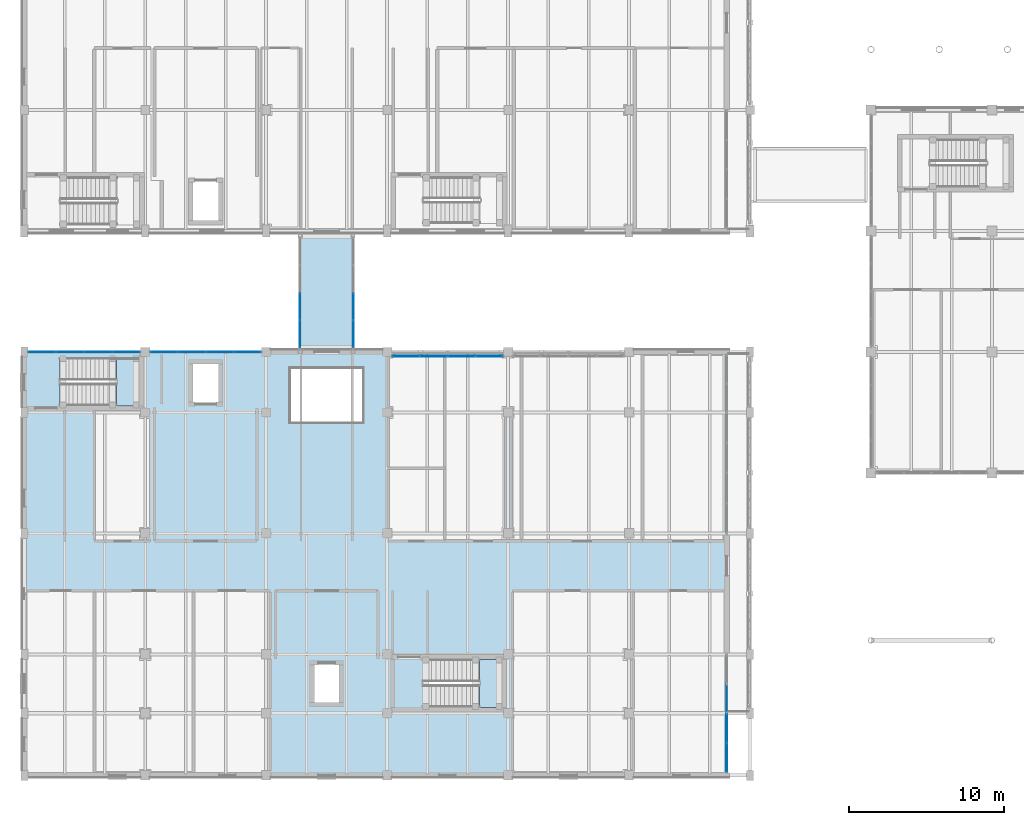
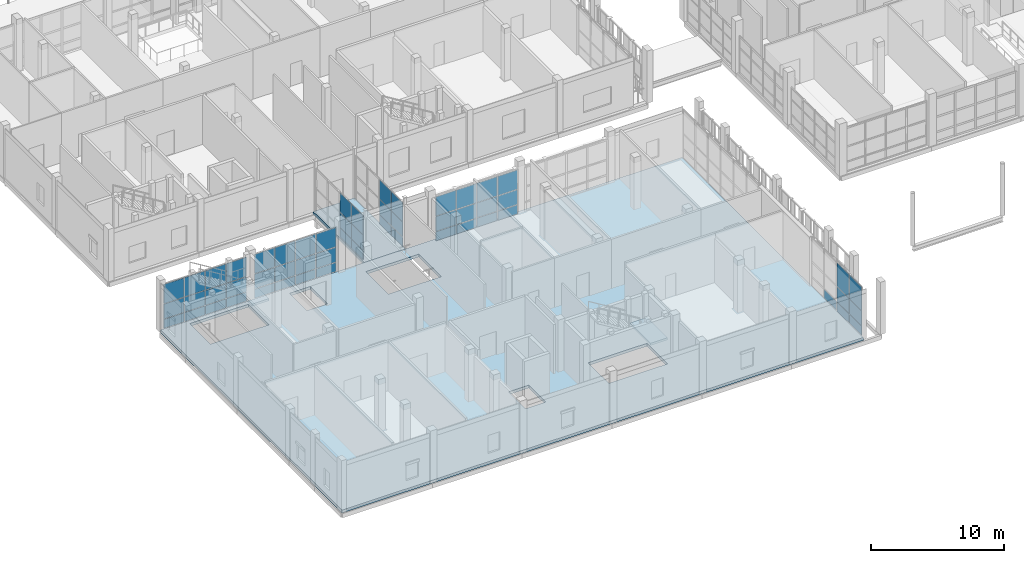
# One storey, part 76 of 138: 55 plates, 4 slabs, 9 elements without a shape of their own.
"""IFC4 building model written with IfcOpenShell, lengths in metres."""

from ifc_helpers import new_model, si_unit, direction, frame, origin, origin_2d, place, context, subcontext, project, spatial, polyline, rectangle, outline, extrude, material, layer, layer_set, type_object, element, aggregate, save


model = new_model("IFC4")

# Units and contexts
model_context = context("Model", 3, precision=1e-05, world=origin(), true_north=direction((0.0, 1.0)))
body_context = subcontext(model_context, "Body", "Model", "MODEL_VIEW")
ifc_project = project(units=[si_unit("LENGTHUNIT", "METRE"), si_unit("AREAUNIT", "SQUARE_METRE"), si_unit("VOLUMEUNIT", "CUBIC_METRE"), si_unit("PLANEANGLEUNIT", "RADIAN"), si_unit("MASSUNIT", "GRAM", prefix="KILO")], contexts=[model_context])

# Site, building, storey
site_placement = place(None, origin())
site = spatial("IfcSite", under=ifc_project, at=site_placement, CompositionType="ELEMENT")
building_placement = place(site_placement, origin())
building = spatial("IfcBuilding", under=site, at=building_placement, Name="Celorna Specialist Clinic", CompositionType="ELEMENT")
storey_placement = place(building_placement, frame((0.0, 0.0, 4.800048828125)))
storey = spatial("IfcBuildingStorey", under=building, at=storey_placement, Name="L01", CompositionType="ELEMENT", Elevation=4.800048828125)

# Curtain wall, plates
ifc_material_1 = material(Name="Thermally broken aluminium and solar-control glass curtain wall", Category="aluminium")
ifc_layer_1 = layer(ifc_material_1, 0.159912109375, Name="Thermally broken aluminium and solar-control glass curtain wall")
ifc_layer_set_1 = layer_set([ifc_layer_1], Name="Thermally broken aluminium and solar-control glass curtain wall")
curtain_wall_type_1 = type_object("IfcCurtainWallType", Name="CW-16", PredefinedType="NOTDEFINED", material=ifc_layer_set_1)
curtain_wall_1_placement = place(storey_placement, origin())
curtain_wall_1 = element("IfcCurtainWall", 1, at=curtain_wall_1_placement, inside=storey, type_object=curtain_wall_type_1, Name="Curtain wall CW-16 #154", PredefinedType="NOTDEFINED")
ifc_material_2 = material(Name="Low-e double glazing", Category="glass")
ifc_layer_2 = layer(ifc_material_2, 0.028076171875, Name="Low-e double glazing")
ifc_layer_set_2 = layer_set([ifc_layer_2], Name="Low-e double glazing")
plate_type_1 = type_object("IfcPlateType", Name="CPN-01", PredefinedType="CURTAIN_PANEL", material=ifc_layer_set_2)
plate_1_placement = place(storey_placement, frame((9.015380859375, 27.300048828125, 0.0498046875), z_axis=(0.0, 0.0, 1.0), x_axis=(1.0, 0.0, 0.0)))
plate_1 = element("IfcPlate", 2, at=plate_1_placement, type_object=plate_type_1, Name="CW-16 panel 1.1", PredefinedType="CURTAIN_PANEL", context=body_context, shape_type="SweptSolid", body=[
    extrude(rectangle(XDim=1.722900390625, YDim=0.028076171875, at=origin_2d()), origin(), (0.0, 0.0, 1.0), 0.824951171875),
])
plate_2_placement = place(storey_placement, frame((9.015380859375, 27.300048828125, 0.9248046875), z_axis=(0.0, 0.0, 1.0), x_axis=(1.0, 0.0, 0.0)))
plate_2 = element("IfcPlate", 3, at=plate_2_placement, type_object=plate_type_1, Name="CW-16 panel 1.2", PredefinedType="CURTAIN_PANEL", context=body_context, shape_type="SweptSolid", body=[
    extrude(rectangle(XDim=1.722900390625, YDim=0.028076171875, at=origin_2d()), origin(), (0.0, 0.0, 1.0), 1.35009765625),
])
plate_3_placement = place(storey_placement, frame((9.015380859375, 27.300048828125, 2.3251953125), z_axis=(0.0, 0.0, 1.0), x_axis=(1.0, 0.0, 0.0)))
plate_3 = element("IfcPlate", 4, at=plate_3_placement, type_object=plate_type_1, Name="CW-16 panel 1.3", PredefinedType="CURTAIN_PANEL", context=body_context, shape_type="SweptSolid", body=[
    extrude(rectangle(XDim=1.722900390625, YDim=0.028076171875, at=origin_2d()), origin(), (0.0, 0.0, 1.0), 1.764892578125),
])
plate_4_placement = place(storey_placement, frame((10.801025390625, 27.300048828125, 0.0498046875), z_axis=(0.0, 0.0, 1.0), x_axis=(1.0, 0.0, 0.0)))
plate_4 = element("IfcPlate", 5, at=plate_4_placement, type_object=plate_type_1, Name="CW-16 panel 2.1", PredefinedType="CURTAIN_PANEL", context=body_context, shape_type="SweptSolid", body=[
    extrude(rectangle(XDim=1.748046875, YDim=0.028076171875, at=origin_2d()), origin(), (0.0, 0.0, 1.0), 0.824951171875),
])
plate_5_placement = place(storey_placement, frame((10.801025390625, 27.300048828125, 0.9248046875), z_axis=(0.0, 0.0, 1.0), x_axis=(1.0, 0.0, 0.0)))
plate_5 = element("IfcPlate", 6, at=plate_5_placement, type_object=plate_type_1, Name="CW-16 panel 2.2", PredefinedType="CURTAIN_PANEL", context=body_context, shape_type="SweptSolid", body=[
    extrude(rectangle(XDim=1.748046875, YDim=0.028076171875, at=origin_2d()), origin(), (0.0, 0.0, 1.0), 1.35009765625),
])
plate_6_placement = place(storey_placement, frame((10.801025390625, 27.300048828125, 2.3251953125), z_axis=(0.0, 0.0, 1.0), x_axis=(1.0, 0.0, 0.0)))
plate_6 = element("IfcPlate", 7, at=plate_6_placement, type_object=plate_type_1, Name="CW-16 panel 2.3", PredefinedType="CURTAIN_PANEL", context=body_context, shape_type="SweptSolid", body=[
    extrude(rectangle(XDim=1.748046875, YDim=0.028076171875, at=origin_2d()), origin(), (0.0, 0.0, 1.0), 1.764892578125),
])
plate_7_placement = place(storey_placement, frame((12.59912109375, 27.300048828125, 0.0498046875), z_axis=(0.0, 0.0, 1.0), x_axis=(1.0, 0.0, 0.0)))
plate_7 = element("IfcPlate", 8, at=plate_7_placement, type_object=plate_type_1, Name="CW-16 panel 3.1", PredefinedType="CURTAIN_PANEL", context=body_context, shape_type="SweptSolid", body=[
    extrude(rectangle(XDim=1.748046875, YDim=0.028076171875, at=origin_2d()), origin(), (0.0, 0.0, 1.0), 0.824951171875),
])
plate_8_placement = place(storey_placement, frame((12.59912109375, 27.300048828125, 0.9248046875), z_axis=(0.0, 0.0, 1.0), x_axis=(1.0, 0.0, 0.0)))
plate_8 = element("IfcPlate", 9, at=plate_8_placement, type_object=plate_type_1, Name="CW-16 panel 3.2", PredefinedType="CURTAIN_PANEL", context=body_context, shape_type="SweptSolid", body=[
    extrude(rectangle(XDim=1.748046875, YDim=0.028076171875, at=origin_2d()), origin(), (0.0, 0.0, 1.0), 1.35009765625),
])
plate_9_placement = place(storey_placement, frame((12.59912109375, 27.300048828125, 2.3251953125), z_axis=(0.0, 0.0, 1.0), x_axis=(1.0, 0.0, 0.0)))
plate_9 = element("IfcPlate", 10, at=plate_9_placement, type_object=plate_type_1, Name="CW-16 panel 3.3", PredefinedType="CURTAIN_PANEL", context=body_context, shape_type="SweptSolid", body=[
    extrude(rectangle(XDim=1.748046875, YDim=0.028076171875, at=origin_2d()), origin(), (0.0, 0.0, 1.0), 1.764892578125),
])
plate_10_placement = place(storey_placement, frame((14.384521484375, 27.300048828125, 0.0498046875), z_axis=(0.0, 0.0, 1.0), x_axis=(1.0, 0.0, 0.0)))
plate_10 = element("IfcPlate", 11, at=plate_10_placement, type_object=plate_type_1, Name="CW-16 panel 4.1", PredefinedType="CURTAIN_PANEL", context=body_context, shape_type="SweptSolid", body=[
    extrude(rectangle(XDim=1.722900390625, YDim=0.028076171875, at=origin_2d()), origin(), (0.0, 0.0, 1.0), 0.824951171875),
])
plate_11_placement = place(storey_placement, frame((14.384521484375, 27.300048828125, 0.9248046875), z_axis=(0.0, 0.0, 1.0), x_axis=(1.0, 0.0, 0.0)))
plate_11 = element("IfcPlate", 12, at=plate_11_placement, type_object=plate_type_1, Name="CW-16 panel 4.2", PredefinedType="CURTAIN_PANEL", context=body_context, shape_type="SweptSolid", body=[
    extrude(rectangle(XDim=1.722900390625, YDim=0.028076171875, at=origin_2d()), origin(), (0.0, 0.0, 1.0), 1.35009765625),
])
plate_12_placement = place(storey_placement, frame((14.384521484375, 27.300048828125, 2.3251953125), z_axis=(0.0, 0.0, 1.0), x_axis=(1.0, 0.0, 0.0)))
plate_12 = element("IfcPlate", 13, at=plate_12_placement, type_object=plate_type_1, Name="CW-16 panel 4.3", PredefinedType="CURTAIN_PANEL", context=body_context, shape_type="SweptSolid", body=[
    extrude(rectangle(XDim=1.722900390625, YDim=0.028076171875, at=origin_2d()), origin(), (0.0, 0.0, 1.0), 1.764892578125),
])
aggregate(curtain_wall_1, [plate_1, plate_2, plate_3, plate_4, plate_5, plate_6, plate_7, plate_8, plate_9, plate_10, plate_11, plate_12])

# Curtain wall, plate
ifc_layer_3 = layer(ifc_material_1, 0.159912109375, Name="Thermally broken aluminium and solar-control glass curtain wall")
ifc_layer_set_3 = layer_set([ifc_layer_3], Name="Thermally broken aluminium and solar-control glass curtain wall")
curtain_wall_type_2 = type_object("IfcCurtainWallType", Name="CW-84", PredefinedType="NOTDEFINED", material=ifc_layer_set_3)
curtain_wall_2_placement = place(storey_placement, origin())
curtain_wall_2 = element("IfcCurtainWall", 14, at=curtain_wall_2_placement, inside=storey, type_object=curtain_wall_type_2, Name="Curtain wall CW-84 #158", PredefinedType="NOTDEFINED")
plate_13_placement = place(storey_placement, frame((45.300048828125, 4.964599609375, 0.0498046875), z_axis=(0.0, 0.0, 1.0), x_axis=(0.0, -1.0, 0.0)))
plate_13 = element("IfcPlate", 15, at=plate_13_placement, type_object=plate_type_1, Name="CW-84 panel 2.1", PredefinedType="CURTAIN_PANEL", context=body_context, shape_type="SweptSolid", body=[
    extrude(rectangle(XDim=1.821044921875, YDim=0.028076171875, at=origin_2d()), origin(), (0.0, 0.0, 1.0), 0.824951171875),
])
aggregate(curtain_wall_2, [plate_13])

# Curtain wall, plates
ifc_layer_4 = layer(ifc_material_1, 0.159912109375, Name="Thermally broken aluminium and solar-control glass curtain wall")
ifc_layer_set_4 = layer_set([ifc_layer_4], Name="Thermally broken aluminium and solar-control glass curtain wall")
curtain_wall_type_3 = type_object("IfcCurtainWallType", Name="CW-111", PredefinedType="NOTDEFINED", material=ifc_layer_set_4)
curtain_wall_3_placement = place(storey_placement, origin())
curtain_wall_3 = element("IfcCurtainWall", 16, at=curtain_wall_3_placement, inside=storey, type_object=curtain_wall_type_3, Name="Curtain wall CW-111 #200", PredefinedType="NOTDEFINED")
plate_14_placement = place(storey_placement, frame((17.780029296875, 28.453857421875, 0.0498046875), z_axis=(0.0, 0.0, 1.0), x_axis=(0.0, 1.0, 0.0)))
plate_14 = element("IfcPlate", 17, at=plate_14_placement, type_object=plate_type_1, Name="CW-111 panel 1.1", PredefinedType="CURTAIN_PANEL", context=body_context, shape_type="SweptSolid", body=[
    extrude(rectangle(XDim=1.70751953125, YDim=0.028076171875, at=origin_2d()), origin(), (0.0, 0.0, 1.0), 0.824951171875),
])
plate_15_placement = place(storey_placement, frame((17.780029296875, 28.453857421875, 0.9248046875), z_axis=(0.0, 0.0, 1.0), x_axis=(0.0, 1.0, 0.0)))
plate_15 = element("IfcPlate", 18, at=plate_15_placement, type_object=plate_type_1, Name="CW-111 panel 1.2", PredefinedType="CURTAIN_PANEL", context=body_context, shape_type="SweptSolid", body=[
    extrude(rectangle(XDim=1.70751953125, YDim=0.028076171875, at=origin_2d()), origin(), (0.0, 0.0, 1.0), 1.35009765625),
])
plate_16_placement = place(storey_placement, frame((17.780029296875, 28.453857421875, 2.324951171875), z_axis=(0.0, 0.0, 1.0), x_axis=(0.0, 1.0, 0.0)))
plate_16 = element("IfcPlate", 19, at=plate_16_placement, type_object=plate_type_1, Name="CW-111 panel 1.3", PredefinedType="CURTAIN_PANEL", context=body_context, shape_type="SweptSolid", body=[
    extrude(rectangle(XDim=1.70751953125, YDim=0.028076171875, at=origin_2d()), origin(), (0.0, 0.0, 1.0), 1.7548828125),
])
plate_17_placement = place(storey_placement, frame((17.780029296875, 30.2236328125, 0.0498046875), z_axis=(0.0, 0.0, 1.0), x_axis=(0.0, 1.0, 0.0)))
plate_17 = element("IfcPlate", 20, at=plate_17_placement, type_object=plate_type_1, Name="CW-111 panel 2.1", PredefinedType="CURTAIN_PANEL", context=body_context, shape_type="SweptSolid", body=[
    extrude(rectangle(XDim=1.732421875, YDim=0.028076171875, at=origin_2d()), origin(), (0.0, 0.0, 1.0), 0.824951171875),
])
plate_18_placement = place(storey_placement, frame((17.780029296875, 30.2236328125, 0.9248046875), z_axis=(0.0, 0.0, 1.0), x_axis=(0.0, 1.0, 0.0)))
plate_18 = element("IfcPlate", 21, at=plate_18_placement, type_object=plate_type_1, Name="CW-111 panel 2.2", PredefinedType="CURTAIN_PANEL", context=body_context, shape_type="SweptSolid", body=[
    extrude(rectangle(XDim=1.732421875, YDim=0.028076171875, at=origin_2d()), origin(), (0.0, 0.0, 1.0), 1.35009765625),
])
plate_19_placement = place(storey_placement, frame((17.780029296875, 30.2236328125, 2.324951171875), z_axis=(0.0, 0.0, 1.0), x_axis=(0.0, 1.0, 0.0)))
plate_19 = element("IfcPlate", 22, at=plate_19_placement, type_object=plate_type_1, Name="CW-111 panel 2.3", PredefinedType="CURTAIN_PANEL", context=body_context, shape_type="SweptSolid", body=[
    extrude(rectangle(XDim=1.732421875, YDim=0.028076171875, at=origin_2d()), origin(), (0.0, 0.0, 1.0), 1.7548828125),
])
aggregate(curtain_wall_3, [plate_14, plate_15, plate_16, plate_17, plate_18, plate_19])

curtain_wall_4_placement = place(storey_placement, origin())
curtain_wall_4 = element("IfcCurtainWall", 23, at=curtain_wall_4_placement, inside=storey, type_object=curtain_wall_type_3, Name="Curtain wall CW-111 #201", PredefinedType="NOTDEFINED")
plate_20_placement = place(storey_placement, frame((21.219970703125, 30.2236328125, 0.0498046875), z_axis=(0.0, 0.0, 1.0), x_axis=(0.0, -1.0, 0.0)))
plate_20 = element("IfcPlate", 24, at=plate_20_placement, type_object=plate_type_1, Name="CW-111 panel 3.1", PredefinedType="CURTAIN_PANEL", context=body_context, shape_type="SweptSolid", body=[
    extrude(rectangle(XDim=1.732421875, YDim=0.028076171875, at=origin_2d()), origin(), (0.0, 0.0, 1.0), 0.824951171875),
])
plate_21_placement = place(storey_placement, frame((21.219970703125, 30.2236328125, 0.9248046875), z_axis=(0.0, 0.0, 1.0), x_axis=(0.0, -1.0, 0.0)))
plate_21 = element("IfcPlate", 25, at=plate_21_placement, type_object=plate_type_1, Name="CW-111 panel 3.2", PredefinedType="CURTAIN_PANEL", context=body_context, shape_type="SweptSolid", body=[
    extrude(rectangle(XDim=1.732421875, YDim=0.028076171875, at=origin_2d()), origin(), (0.0, 0.0, 1.0), 1.35009765625),
])
plate_22_placement = place(storey_placement, frame((21.219970703125, 30.2236328125, 2.324951171875), z_axis=(0.0, 0.0, 1.0), x_axis=(0.0, -1.0, 0.0)))
plate_22 = element("IfcPlate", 26, at=plate_22_placement, type_object=plate_type_1, Name="CW-111 panel 3.3", PredefinedType="CURTAIN_PANEL", context=body_context, shape_type="SweptSolid", body=[
    extrude(rectangle(XDim=1.732421875, YDim=0.028076171875, at=origin_2d()), origin(), (0.0, 0.0, 1.0), 1.7548828125),
])
plate_23_placement = place(storey_placement, frame((21.219970703125, 28.453857421875, 0.0498046875), z_axis=(0.0, 0.0, 1.0), x_axis=(0.0, -1.0, 0.0)))
plate_23 = element("IfcPlate", 27, at=plate_23_placement, type_object=plate_type_1, Name="CW-111 panel 4.1", PredefinedType="CURTAIN_PANEL", context=body_context, shape_type="SweptSolid", body=[
    extrude(rectangle(XDim=1.70751953125, YDim=0.028076171875, at=origin_2d()), origin(), (0.0, 0.0, 1.0), 0.824951171875),
])
plate_24_placement = place(storey_placement, frame((21.219970703125, 28.453857421875, 0.9248046875), z_axis=(0.0, 0.0, 1.0), x_axis=(0.0, -1.0, 0.0)))
plate_24 = element("IfcPlate", 28, at=plate_24_placement, type_object=plate_type_1, Name="CW-111 panel 4.2", PredefinedType="CURTAIN_PANEL", context=body_context, shape_type="SweptSolid", body=[
    extrude(rectangle(XDim=1.70751953125, YDim=0.028076171875, at=origin_2d()), origin(), (0.0, 0.0, 1.0), 1.35009765625),
])
plate_25_placement = place(storey_placement, frame((21.219970703125, 28.453857421875, 2.324951171875), z_axis=(0.0, 0.0, 1.0), x_axis=(0.0, -1.0, 0.0)))
plate_25 = element("IfcPlate", 29, at=plate_25_placement, type_object=plate_type_1, Name="CW-111 panel 4.3", PredefinedType="CURTAIN_PANEL", context=body_context, shape_type="SweptSolid", body=[
    extrude(rectangle(XDim=1.70751953125, YDim=0.028076171875, at=origin_2d()), origin(), (0.0, 0.0, 1.0), 1.7548828125),
])
aggregate(curtain_wall_4, [plate_20, plate_21, plate_22, plate_23, plate_24, plate_25])

ifc_layer_5 = layer(ifc_material_1, 0.159912109375, Name="Thermally broken aluminium and solar-control glass curtain wall")
ifc_layer_set_5 = layer_set([ifc_layer_5], Name="Thermally broken aluminium and solar-control glass curtain wall")
curtain_wall_type_4 = type_object("IfcCurtainWallType", Name="CW-82", PredefinedType="NOTDEFINED", material=ifc_layer_set_5)
curtain_wall_5_placement = place(storey_placement, origin())
curtain_wall_5 = element("IfcCurtainWall", 30, at=curtain_wall_5_placement, inside=storey, type_object=curtain_wall_type_4, Name="Curtain wall CW-82 #153", PredefinedType="NOTDEFINED")
ifc_material_3 = material(Name="Glazed polychrome ceramic insulated spandrel")
ifc_layer_6 = layer(ifc_material_3, 0.0439453125, Name="Glazed polychrome ceramic insulated spandrel")
ifc_layer_set_6 = layer_set([ifc_layer_6], Name="Glazed polychrome ceramic insulated spandrel")
plate_type_2 = type_object("IfcPlateType", Name="CPN-03", PredefinedType="CURTAIN_PANEL", material=ifc_layer_set_6)
plate_26_placement = place(storey_placement, frame((1.14990234375, 27.300048828125, 0.0498046875), z_axis=(0.0, 0.0, 1.0), x_axis=(1.0, 0.0, 0.0)))
plate_26 = element("IfcPlate", 31, at=plate_26_placement, type_object=plate_type_2, Name="CW-82 panel 1.1", PredefinedType="CURTAIN_PANEL", context=body_context, shape_type="SweptSolid", body=[
    extrude(rectangle(XDim=1.74169921875, YDim=0.0439453125, at=origin_2d()), origin(), (0.0, 0.0, 1.0), 0.824951171875),
])
plate_27_placement = place(storey_placement, frame((1.14990234375, 27.300048828125, 0.9248046875), z_axis=(0.0, 0.0, 1.0), x_axis=(1.0, 0.0, 0.0)))
plate_27 = element("IfcPlate", 32, at=plate_27_placement, type_object=plate_type_2, Name="CW-82 panel 1.2", PredefinedType="CURTAIN_PANEL", context=body_context, shape_type="SweptSolid", body=[
    extrude(rectangle(XDim=1.74169921875, YDim=0.0439453125, at=origin_2d()), origin(), (0.0, 0.0, 1.0), 1.35009765625),
])
plate_28_placement = place(storey_placement, frame((1.14990234375, 27.300048828125, 2.3251953125), z_axis=(0.0, 0.0, 1.0), x_axis=(1.0, 0.0, 0.0)))
plate_28 = element("IfcPlate", 33, at=plate_28_placement, type_object=plate_type_2, Name="CW-82 panel 1.3", PredefinedType="CURTAIN_PANEL", context=body_context, shape_type="SweptSolid", body=[
    extrude(rectangle(XDim=1.74169921875, YDim=0.0439453125, at=origin_2d()), origin(), (0.0, 0.0, 1.0), 1.764892578125),
])
plate_29_placement = place(storey_placement, frame((2.9541015625, 27.300048828125, 0.0498046875), z_axis=(0.0, 0.0, 1.0), x_axis=(1.0, 0.0, 0.0)))
plate_29 = element("IfcPlate", 34, at=plate_29_placement, type_object=plate_type_2, Name="CW-82 panel 2.1", PredefinedType="CURTAIN_PANEL", context=body_context, shape_type="SweptSolid", body=[
    extrude(rectangle(XDim=1.766845703125, YDim=0.0439453125, at=origin_2d()), origin(), (0.0, 0.0, 1.0), 0.824951171875),
])
plate_30_placement = place(storey_placement, frame((2.9541015625, 27.300048828125, 0.9248046875), z_axis=(0.0, 0.0, 1.0), x_axis=(1.0, 0.0, 0.0)))
plate_30 = element("IfcPlate", 35, at=plate_30_placement, type_object=plate_type_2, Name="CW-82 panel 2.2", PredefinedType="CURTAIN_PANEL", context=body_context, shape_type="SweptSolid", body=[
    extrude(rectangle(XDim=1.766845703125, YDim=0.0439453125, at=origin_2d()), origin(), (0.0, 0.0, 1.0), 1.35009765625),
])
plate_31_placement = place(storey_placement, frame((2.9541015625, 27.300048828125, 2.3251953125), z_axis=(0.0, 0.0, 1.0), x_axis=(1.0, 0.0, 0.0)))
plate_31 = element("IfcPlate", 36, at=plate_31_placement, type_object=plate_type_2, Name="CW-82 panel 2.3", PredefinedType="CURTAIN_PANEL", context=body_context, shape_type="SweptSolid", body=[
    extrude(rectangle(XDim=1.766845703125, YDim=0.0439453125, at=origin_2d()), origin(), (0.0, 0.0, 1.0), 1.764892578125),
])
plate_32_placement = place(storey_placement, frame((4.77099609375, 27.300048828125, 0.0498046875), z_axis=(0.0, 0.0, 1.0), x_axis=(1.0, 0.0, 0.0)))
plate_32 = element("IfcPlate", 37, at=plate_32_placement, type_object=plate_type_2, Name="CW-82 panel 3.1", PredefinedType="CURTAIN_PANEL", context=body_context, shape_type="SweptSolid", body=[
    extrude(rectangle(XDim=1.766845703125, YDim=0.0439453125, at=origin_2d()), origin(), (0.0, 0.0, 1.0), 0.824951171875),
])
plate_33_placement = place(storey_placement, frame((4.77099609375, 27.300048828125, 0.9248046875), z_axis=(0.0, 0.0, 1.0), x_axis=(1.0, 0.0, 0.0)))
plate_33 = element("IfcPlate", 38, at=plate_33_placement, type_object=plate_type_2, Name="CW-82 panel 3.2", PredefinedType="CURTAIN_PANEL", context=body_context, shape_type="SweptSolid", body=[
    extrude(rectangle(XDim=1.766845703125, YDim=0.0439453125, at=origin_2d()), origin(), (0.0, 0.0, 1.0), 1.35009765625),
])
plate_34_placement = place(storey_placement, frame((4.77099609375, 27.300048828125, 2.3251953125), z_axis=(0.0, 0.0, 1.0), x_axis=(1.0, 0.0, 0.0)))
plate_34 = element("IfcPlate", 39, at=plate_34_placement, type_object=plate_type_2, Name="CW-82 panel 3.3", PredefinedType="CURTAIN_PANEL", context=body_context, shape_type="SweptSolid", body=[
    extrude(rectangle(XDim=1.766845703125, YDim=0.0439453125, at=origin_2d()), origin(), (0.0, 0.0, 1.0), 1.764892578125),
])
plate_35_placement = place(storey_placement, frame((6.5751953125, 27.300048828125, 0.0498046875), z_axis=(0.0, 0.0, 1.0), x_axis=(1.0, 0.0, 0.0)))
plate_35 = element("IfcPlate", 40, at=plate_35_placement, type_object=plate_type_2, Name="CW-82 panel 4.1", PredefinedType="CURTAIN_PANEL", context=body_context, shape_type="SweptSolid", body=[
    extrude(rectangle(XDim=1.74169921875, YDim=0.0439453125, at=origin_2d()), origin(), (0.0, 0.0, 1.0), 0.824951171875),
])
plate_36_placement = place(storey_placement, frame((6.5751953125, 27.300048828125, 0.9248046875), z_axis=(0.0, 0.0, 1.0), x_axis=(1.0, 0.0, 0.0)))
plate_36 = element("IfcPlate", 41, at=plate_36_placement, type_object=plate_type_2, Name="CW-82 panel 4.2", PredefinedType="CURTAIN_PANEL", context=body_context, shape_type="SweptSolid", body=[
    extrude(rectangle(XDim=1.74169921875, YDim=0.0439453125, at=origin_2d()), origin(), (0.0, 0.0, 1.0), 1.35009765625),
])
plate_37_placement = place(storey_placement, frame((6.5751953125, 27.300048828125, 2.3251953125), z_axis=(0.0, 0.0, 1.0), x_axis=(1.0, 0.0, 0.0)))
plate_37 = element("IfcPlate", 42, at=plate_37_placement, type_object=plate_type_2, Name="CW-82 panel 4.3", PredefinedType="CURTAIN_PANEL", context=body_context, shape_type="SweptSolid", body=[
    extrude(rectangle(XDim=1.74169921875, YDim=0.0439453125, at=origin_2d()), origin(), (0.0, 0.0, 1.0), 1.764892578125),
])
aggregate(curtain_wall_5, [plate_26, plate_27, plate_28, plate_29, plate_30, plate_31, plate_32, plate_33, plate_34, plate_35, plate_36, plate_37])

ifc_layer_7 = layer(ifc_material_1, 0.159912109375, Name="Thermally broken aluminium and solar-control glass curtain wall")
ifc_layer_set_7 = layer_set([ifc_layer_7], Name="Thermally broken aluminium and solar-control glass curtain wall")
curtain_wall_type_5 = type_object("IfcCurtainWallType", Name="CW-15", PredefinedType="NOTDEFINED", material=ifc_layer_set_7)
curtain_wall_6_placement = place(storey_placement, origin())
curtain_wall_6 = element("IfcCurtainWall", 43, at=curtain_wall_6_placement, inside=storey, type_object=curtain_wall_type_5, Name="Curtain wall CW-15 #155", PredefinedType="NOTDEFINED")
plate_38_placement = place(storey_placement, frame((24.615478515625, 27.02001953125, 0.0498046875), z_axis=(0.0, 0.0, 1.0), x_axis=(1.0, 0.0, 0.0)))
plate_38 = element("IfcPlate", 44, at=plate_38_placement, type_object=plate_type_2, Name="CW-15 panel 1.1", PredefinedType="CURTAIN_PANEL", context=body_context, shape_type="SweptSolid", body=[
    extrude(rectangle(XDim=1.722900390625, YDim=0.0439453125, at=origin_2d()), origin(), (0.0, 0.0, 1.0), 0.824951171875),
])
plate_39_placement = place(storey_placement, frame((24.615478515625, 27.02001953125, 0.9248046875), z_axis=(0.0, 0.0, 1.0), x_axis=(1.0, 0.0, 0.0)))
plate_39 = element("IfcPlate", 45, at=plate_39_placement, type_object=plate_type_2, Name="CW-15 panel 1.2", PredefinedType="CURTAIN_PANEL", context=body_context, shape_type="SweptSolid", body=[
    extrude(rectangle(XDim=1.722900390625, YDim=0.0439453125, at=origin_2d()), origin(), (0.0, 0.0, 1.0), 1.35009765625),
])
plate_40_placement = place(storey_placement, frame((24.615478515625, 27.02001953125, 2.3251953125), z_axis=(0.0, 0.0, 1.0), x_axis=(1.0, 0.0, 0.0)))
plate_40 = element("IfcPlate", 46, at=plate_40_placement, type_object=plate_type_2, Name="CW-15 panel 1.3", PredefinedType="CURTAIN_PANEL", context=body_context, shape_type="SweptSolid", body=[
    extrude(rectangle(XDim=1.722900390625, YDim=0.0439453125, at=origin_2d()), origin(), (0.0, 0.0, 1.0), 1.764892578125),
])
plate_41_placement = place(storey_placement, frame((26.40087890625, 27.02001953125, 0.0498046875), z_axis=(0.0, 0.0, 1.0), x_axis=(1.0, 0.0, 0.0)))
plate_41 = element("IfcPlate", 47, at=plate_41_placement, type_object=plate_type_2, Name="CW-15 panel 2.1", PredefinedType="CURTAIN_PANEL", context=body_context, shape_type="SweptSolid", body=[
    extrude(rectangle(XDim=1.748046875, YDim=0.0439453125, at=origin_2d()), origin(), (0.0, 0.0, 1.0), 0.824951171875),
])
plate_42_placement = place(storey_placement, frame((26.40087890625, 27.02001953125, 0.9248046875), z_axis=(0.0, 0.0, 1.0), x_axis=(1.0, 0.0, 0.0)))
plate_42 = element("IfcPlate", 48, at=plate_42_placement, type_object=plate_type_2, Name="CW-15 panel 2.2", PredefinedType="CURTAIN_PANEL", context=body_context, shape_type="SweptSolid", body=[
    extrude(rectangle(XDim=1.748046875, YDim=0.0439453125, at=origin_2d()), origin(), (0.0, 0.0, 1.0), 1.35009765625),
])
plate_43_placement = place(storey_placement, frame((26.40087890625, 27.02001953125, 2.3251953125), z_axis=(0.0, 0.0, 1.0), x_axis=(1.0, 0.0, 0.0)))
plate_43 = element("IfcPlate", 49, at=plate_43_placement, type_object=plate_type_2, Name="CW-15 panel 2.3", PredefinedType="CURTAIN_PANEL", context=body_context, shape_type="SweptSolid", body=[
    extrude(rectangle(XDim=1.748046875, YDim=0.0439453125, at=origin_2d()), origin(), (0.0, 0.0, 1.0), 1.764892578125),
])
plate_44_placement = place(storey_placement, frame((28.198974609375, 27.02001953125, 0.0498046875), z_axis=(0.0, 0.0, 1.0), x_axis=(1.0, 0.0, 0.0)))
plate_44 = element("IfcPlate", 50, at=plate_44_placement, type_object=plate_type_2, Name="CW-15 panel 3.1", PredefinedType="CURTAIN_PANEL", context=body_context, shape_type="SweptSolid", body=[
    extrude(rectangle(XDim=1.748046875, YDim=0.0439453125, at=origin_2d()), origin(), (0.0, 0.0, 1.0), 0.824951171875),
])
plate_45_placement = place(storey_placement, frame((28.198974609375, 27.02001953125, 0.9248046875), z_axis=(0.0, 0.0, 1.0), x_axis=(1.0, 0.0, 0.0)))
plate_45 = element("IfcPlate", 51, at=plate_45_placement, type_object=plate_type_2, Name="CW-15 panel 3.2", PredefinedType="CURTAIN_PANEL", context=body_context, shape_type="SweptSolid", body=[
    extrude(rectangle(XDim=1.748046875, YDim=0.0439453125, at=origin_2d()), origin(), (0.0, 0.0, 1.0), 1.35009765625),
])
plate_46_placement = place(storey_placement, frame((28.198974609375, 27.02001953125, 2.3251953125), z_axis=(0.0, 0.0, 1.0), x_axis=(1.0, 0.0, 0.0)))
plate_46 = element("IfcPlate", 52, at=plate_46_placement, type_object=plate_type_2, Name="CW-15 panel 3.3", PredefinedType="CURTAIN_PANEL", context=body_context, shape_type="SweptSolid", body=[
    extrude(rectangle(XDim=1.748046875, YDim=0.0439453125, at=origin_2d()), origin(), (0.0, 0.0, 1.0), 1.764892578125),
])
plate_47_placement = place(storey_placement, frame((29.984619140625, 27.02001953125, 0.0498046875), z_axis=(0.0, 0.0, 1.0), x_axis=(1.0, 0.0, 0.0)))
plate_47 = element("IfcPlate", 53, at=plate_47_placement, type_object=plate_type_2, Name="CW-15 panel 4.1", PredefinedType="CURTAIN_PANEL", context=body_context, shape_type="SweptSolid", body=[
    extrude(rectangle(XDim=1.722900390625, YDim=0.0439453125, at=origin_2d()), origin(), (0.0, 0.0, 1.0), 0.824951171875),
])
plate_48_placement = place(storey_placement, frame((29.984619140625, 27.02001953125, 0.9248046875), z_axis=(0.0, 0.0, 1.0), x_axis=(1.0, 0.0, 0.0)))
plate_48 = element("IfcPlate", 54, at=plate_48_placement, type_object=plate_type_2, Name="CW-15 panel 4.2", PredefinedType="CURTAIN_PANEL", context=body_context, shape_type="SweptSolid", body=[
    extrude(rectangle(XDim=1.722900390625, YDim=0.0439453125, at=origin_2d()), origin(), (0.0, 0.0, 1.0), 1.35009765625),
])
plate_49_placement = place(storey_placement, frame((29.984619140625, 27.02001953125, 2.3251953125), z_axis=(0.0, 0.0, 1.0), x_axis=(1.0, 0.0, 0.0)))
plate_49 = element("IfcPlate", 55, at=plate_49_placement, type_object=plate_type_2, Name="CW-15 panel 4.3", PredefinedType="CURTAIN_PANEL", context=body_context, shape_type="SweptSolid", body=[
    extrude(rectangle(XDim=1.722900390625, YDim=0.0439453125, at=origin_2d()), origin(), (0.0, 0.0, 1.0), 1.764892578125),
])
aggregate(curtain_wall_6, [plate_38, plate_39, plate_40, plate_41, plate_42, plate_43, plate_44, plate_45, plate_46, plate_47, plate_48, plate_49])

ifc_layer_8 = layer(ifc_material_1, 0.159912109375, Name="Thermally broken aluminium and solar-control glass curtain wall")
ifc_layer_set_8 = layer_set([ifc_layer_8], Name="Thermally broken aluminium and solar-control glass curtain wall")
curtain_wall_type_6 = type_object("IfcCurtainWallType", Name="CW-83", PredefinedType="NOTDEFINED", material=ifc_layer_set_8)
curtain_wall_7_placement = place(storey_placement, origin())
curtain_wall_7 = element("IfcCurtainWall", 56, at=curtain_wall_7_placement, inside=storey, type_object=curtain_wall_type_6, Name="Curtain wall CW-83 #157", PredefinedType="NOTDEFINED")
plate_50_placement = place(storey_placement, frame((45.300048828125, 3.028076171875, 0.0498046875), z_axis=(0.0, 0.0, 1.0), x_axis=(0.0, -1.0, 0.0)))
plate_50 = element("IfcPlate", 57, at=plate_50_placement, type_object=plate_type_2, Name="CW-83 panel 1.1", PredefinedType="CURTAIN_PANEL", context=body_context, shape_type="SweptSolid", body=[
    extrude(rectangle(XDim=1.8359375, YDim=0.0439453125, at=origin_2d()), origin(), (0.0, 0.0, 1.0), 0.824951171875),
])
plate_51_placement = place(storey_placement, frame((45.300048828125, 3.028076171875, 0.9248046875), z_axis=(0.0, 0.0, 1.0), x_axis=(0.0, -1.0, 0.0)))
plate_51 = element("IfcPlate", 58, at=plate_51_placement, type_object=plate_type_2, Name="CW-83 panel 1.2", PredefinedType="CURTAIN_PANEL", context=body_context, shape_type="SweptSolid", body=[
    extrude(rectangle(XDim=1.8359375, YDim=0.0439453125, at=origin_2d()), origin(), (0.0, 0.0, 1.0), 1.35009765625),
])
plate_52_placement = place(storey_placement, frame((45.300048828125, 3.028076171875, 2.324951171875), z_axis=(0.0, 0.0, 1.0), x_axis=(0.0, -1.0, 0.0)))
plate_52 = element("IfcPlate", 59, at=plate_52_placement, type_object=plate_type_2, Name="CW-83 panel 1.3", PredefinedType="CURTAIN_PANEL", context=body_context, shape_type="SweptSolid", body=[
    extrude(rectangle(XDim=1.8359375, YDim=0.0439453125, at=origin_2d()), origin(), (0.0, 0.0, 1.0), 2.1650390625),
])
plate_53_placement = place(storey_placement, frame((45.300048828125, 1.14208984375, 0.0498046875), z_axis=(0.0, 0.0, 1.0), x_axis=(0.0, -1.0, 0.0)))
plate_53 = element("IfcPlate", 60, at=plate_53_placement, type_object=plate_type_2, Name="CW-83 panel 2.1", PredefinedType="CURTAIN_PANEL", context=body_context, shape_type="SweptSolid", body=[
    extrude(rectangle(XDim=1.8359375, YDim=0.0439453125, at=origin_2d()), origin(), (0.0, 0.0, 1.0), 0.824951171875),
])
plate_54_placement = place(storey_placement, frame((45.300048828125, 1.14208984375, 0.9248046875), z_axis=(0.0, 0.0, 1.0), x_axis=(0.0, -1.0, 0.0)))
plate_54 = element("IfcPlate", 61, at=plate_54_placement, type_object=plate_type_2, Name="CW-83 panel 2.2", PredefinedType="CURTAIN_PANEL", context=body_context, shape_type="SweptSolid", body=[
    extrude(rectangle(XDim=1.8359375, YDim=0.0439453125, at=origin_2d()), origin(), (0.0, 0.0, 1.0), 1.35009765625),
])
plate_55_placement = place(storey_placement, frame((45.300048828125, 1.14208984375, 2.324951171875), z_axis=(0.0, 0.0, 1.0), x_axis=(0.0, -1.0, 0.0)))
plate_55 = element("IfcPlate", 62, at=plate_55_placement, type_object=plate_type_2, Name="CW-83 panel 2.3", PredefinedType="CURTAIN_PANEL", context=body_context, shape_type="SweptSolid", body=[
    extrude(rectangle(XDim=1.8359375, YDim=0.0439453125, at=origin_2d()), origin(), (0.0, 0.0, 1.0), 2.1650390625),
])
aggregate(curtain_wall_7, [plate_50, plate_51, plate_52, plate_53, plate_54, plate_55])

# Slabs
ifc_material_4 = material(Name="Concrete C35/45", Category="concrete")
ifc_layer_9 = layer(ifc_material_4, 0.260009765625, Name="Concrete C35/45")
ifc_layer_set_9 = layer_set([ifc_layer_9], Name="Concrete C35/45")
slab_type_1 = type_object("IfcSlabType", Name="SL-08", PredefinedType="FLOOR", material=ifc_layer_set_9)
slab_1_placement = place(storey_placement, frame((0.0, 0.0, -0.260009765625)))
element("IfcSlab", 63, at=slab_1_placement, inside=storey, type_object=slab_type_1, Name="V5 L01 structural slab SL-08", PredefinedType="FLOOR", context=body_context, shape_type="SweptSolid", body=[
    extrude(outline(polyline([(45.300048828125, 0.0), (45.300048828125, 27.300048828125), (0.0, 27.300048828125), (0.0, 0.0), (45.300048828125, 0.0)]), holes=[polyline([(2.31005859375, 23.820068359375), (7.409912109375, 23.820068359375), (7.409912109375, 26.919921875), (2.31005859375, 26.919921875), (2.31005859375, 23.820068359375)]), polyline([(25.7099609375, 4.3798828125), (30.81005859375, 4.3798828125), (30.81005859375, 7.47998046875), (25.7099609375, 7.47998046875), (25.7099609375, 4.3798828125)]), polyline([(10.794921875, 23.9951171875), (12.60498046875, 23.9951171875), (12.60498046875, 26.60498046875), (10.794921875, 26.60498046875), (10.794921875, 23.9951171875)]), polyline([(18.6201171875, 4.6201171875), (20.3798828125, 4.6201171875), (20.3798828125, 7.179931640625), (18.6201171875, 7.179931640625), (18.6201171875, 4.6201171875)]), polyline([(17.199951171875, 22.800048828125), (21.800048828125, 22.800048828125), (21.800048828125, 26.199951171875), (17.199951171875, 26.199951171875), (17.199951171875, 22.800048828125)])]), origin(), (0.0, 0.0, 1.0), 0.260009765625),
])
ifc_layer_10 = layer(ifc_material_4, 0.219970703125, Name="Concrete C35/45")
ifc_layer_set_10 = layer_set([ifc_layer_10], Name="Concrete C35/45")
slab_type_2 = type_object("IfcSlabType", Name="SL-10", PredefinedType="FLOOR", material=ifc_layer_set_10)
slab_2_placement = place(storey_placement, frame((0.0, 0.0, -0.219970703125)))
element("IfcSlab", 64, at=slab_2_placement, inside=storey, type_object=slab_type_2, Name="Cloister bridge BR-01 L01 deck", PredefinedType="FLOOR", context=body_context, shape_type="SweptSolid", body=[
    extrude(outline(polyline([(17.699951171875, 27.300048828125), (21.300048828125, 27.300048828125), (21.300048828125, 35.02001953125), (17.699951171875, 35.02001953125), (17.699951171875, 27.300048828125)])), origin(), (0.0, 0.0, 1.0), 0.219970703125),
])

# Stair, slab
stair_type = type_object("IfcStairType", Name="ST-02", PredefinedType="HALF_TURN_STAIR", material=ifc_material_4)
stair_1_placement = place(storey_placement, origin())
stair_1 = element("IfcStair", 65, at=stair_1_placement, inside=storey, type_object=stair_type, Name="L01 Protected exit stair ST-04", PredefinedType="HALF_TURN_STAIR")
ifc_layer_11 = layer(ifc_material_4, 0.199951171875, Name="Concrete C35/45")
ifc_layer_set_11 = layer_set([ifc_layer_11], Name="Concrete C35/45")
slab_type_3 = type_object("IfcSlabType", Name="SL-11", PredefinedType="LANDING", material=ifc_layer_set_11)
slab_3_placement = place(storey_placement, frame((0.0, 0.0, 2.199951171875)))
slab_3 = element("IfcSlab", 66, at=slab_3_placement, type_object=slab_type_3, Name="ST-04 landing 1", PredefinedType="LANDING", context=body_context, shape_type="SweptSolid", body=[
    extrude(outline(polyline([(5.949951171875, 23.820068359375), (7.409912109375, 23.820068359375), (7.409912109375, 26.919921875), (5.949951171875, 26.919921875), (5.949951171875, 23.820068359375)])), origin(), (0.0, 0.0, 1.0), 0.199951171875),
])
aggregate(stair_1, [slab_3])

stair_2_placement = place(storey_placement, origin())
stair_2 = element("IfcStair", 67, at=stair_2_placement, inside=storey, type_object=stair_type, Name="L01 Protected exit stair ST-05", PredefinedType="HALF_TURN_STAIR")
slab_4_placement = place(storey_placement, frame((0.0, 0.0, 2.199951171875)))
slab_4 = element("IfcSlab", 68, at=slab_4_placement, type_object=slab_type_3, Name="ST-05 landing 1", PredefinedType="LANDING", context=body_context, shape_type="SweptSolid", body=[
    extrude(outline(polyline([(29.35009765625, 4.3798828125), (30.81005859375, 4.3798828125), (30.81005859375, 7.47998046875), (29.35009765625, 7.47998046875), (29.35009765625, 4.3798828125)])), origin(), (0.0, 0.0, 1.0), 0.199951171875),
])
aggregate(stair_2, [slab_4])

save(model, "model.ifc")
